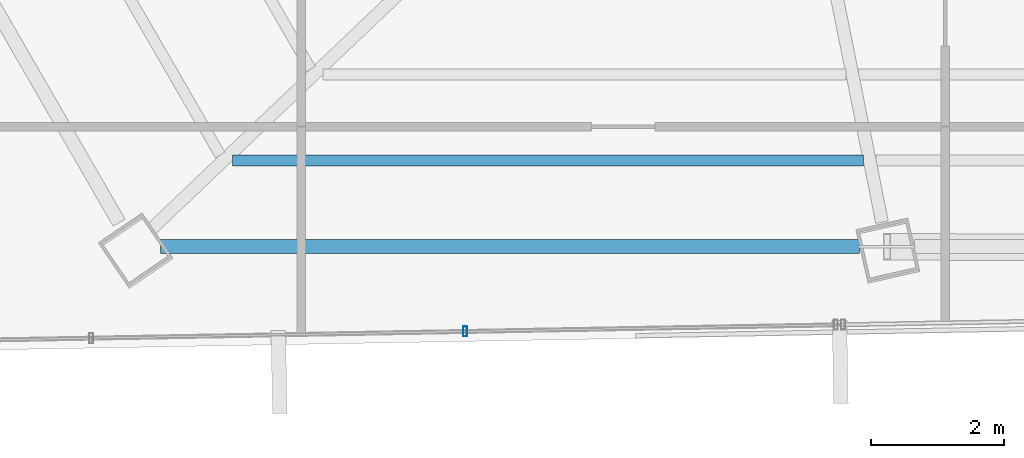
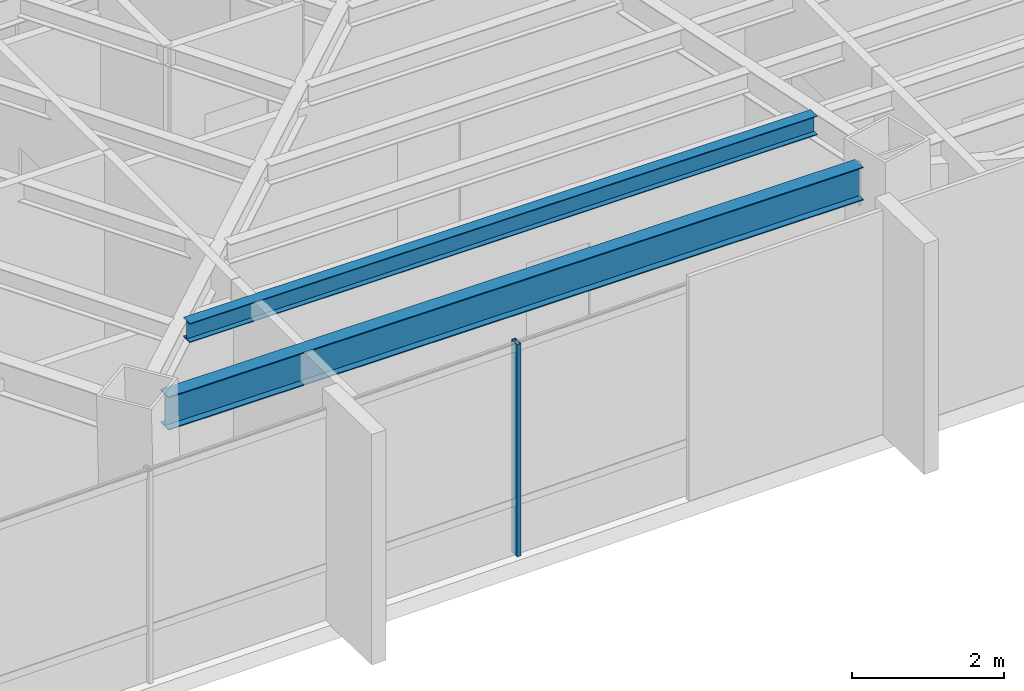
# One storey, part 5 of 42: 2 beams, 1 member, 1 element without a shape of its own.
"""IFC4 building model written with IfcOpenShell, lengths in metres."""

from ifc_helpers import new_model, si_unit, direction, frame, origin, origin_2d, place, context, subcontext, project, spatial, hollow_rectangle, i_section, extrude, source, transform, mapped, material, material_profile, profile_set, type_object, type_shapes, element, aggregate, save


model = new_model("IFC4")

# Units and contexts
model_context = context("Model", 3, precision=1e-05, world=origin(), true_north=direction((0.0, 1.0)))
body_context = subcontext(model_context, "Body", "Model", "MODEL_VIEW")
ifc_project = project(units=[si_unit("LENGTHUNIT", "METRE"), si_unit("AREAUNIT", "SQUARE_METRE"), si_unit("VOLUMEUNIT", "CUBIC_METRE"), si_unit("PLANEANGLEUNIT", "RADIAN"), si_unit("MASSUNIT", "GRAM", prefix="KILO")], contexts=[model_context])

# Site, building, storey
site_placement = place(None, origin())
site = spatial("IfcSite", under=ifc_project, at=site_placement, CompositionType="ELEMENT")
building_placement = place(site_placement, origin())
building = spatial("IfcBuilding", under=site, at=building_placement, Name="Caelisora Broadcast Tower", CompositionType="ELEMENT")
storey_placement = place(building_placement, frame((0.0, 0.0, 202.300048828125)))
storey = spatial("IfcBuildingStorey", under=building, at=storey_placement, Name="L53", CompositionType="ELEMENT", Elevation=202.300048828125)

# Beams
ifc_material_1 = material(Name="Steel Grade 350 (AS/NZS 3679.1)", Category="steel")
ifc_material_profile_1 = material_profile(ifc_material_1, i_section(OverallWidth=0.208984375, OverallDepth=0.532958984375, WebThickness=0.01025390625, FlangeThickness=0.015625, at=origin_2d()), Name="Steel Grade 350 (AS/NZS 3679.1)")
ifc_profile_set_1 = profile_set([ifc_material_profile_1], Name="Steel Grade 350 (AS/NZS 3679.1)")
beam_type_1 = type_object("IfcBeamType", Name="PG05", PredefinedType="BEAM", material=ifc_profile_set_1)
shared_shape_1 = source(origin(), body_context, "Body", "SweptSolid", [
    extrude(i_section(OverallWidth=0.208984375, OverallDepth=0.532958984375, WebThickness=0.01025390625, FlangeThickness=0.015625, at=origin_2d()), origin(), (0.0, 0.0, 1.0), 10.5244140625),
])
type_shapes(beam_type_1, [shared_shape_1])
beam_1_placement = place(storey_placement, frame((21.381591796875, 8.33251953125, 3.133544921875), z_axis=(1.0, 0.0, 0.0), x_axis=(0.0, 1.0, 0.0)))
element("IfcBeam", 1, at=beam_1_placement, inside=storey, type_object=beam_type_1, Name="L53 beam PG05", PredefinedType="BEAM", context=body_context, shape_type="MappedRepresentation", body=[
    mapped(shared_shape_1, transform((0.0, 0.0, 0.0), scale=1.0)),
])
ifc_material_profile_2 = material_profile(ifc_material_1, i_section(OverallWidth=0.166015625, OverallDepth=0.30712890625, WebThickness=0.006591796875, FlangeThickness=0.01171875, at=origin_2d()), Name="Steel Grade 350 (AS/NZS 3679.1)")
ifc_profile_set_2 = profile_set([ifc_material_profile_2], Name="Steel Grade 350 (AS/NZS 3679.1)")
beam_type_2 = type_object("IfcBeamType", Name="SB03", PredefinedType="JOIST", material=ifc_profile_set_2)
shared_shape_2 = source(origin(), body_context, "Body", "SweptSolid", [
    extrude(i_section(OverallWidth=0.166015625, OverallDepth=0.30712890625, WebThickness=0.006591796875, FlangeThickness=0.01171875, at=origin_2d()), origin(), (0.0, 0.0, 1.0), 9.50390625),
])
type_shapes(beam_type_2, [shared_shape_2])
beam_2_placement = place(storey_placement, frame((22.46337890625, 9.6279296875, 3.246337890625), z_axis=(1.0, 0.0, 0.0), x_axis=(0.0, 1.0, 0.0)))
element("IfcBeam", 2, at=beam_2_placement, inside=storey, type_object=beam_type_2, Name="L53 beam SB03", PredefinedType="JOIST", context=body_context, shape_type="MappedRepresentation", body=[
    mapped(shared_shape_2, transform((0.0, 0.0, 0.0), scale=1.0)),
])

# Curtain wall, member
ifc_material_2 = material(Name="Unitised Aluminium and Low-E Glass Curtain Wall", Category="glass")
curtain_wall_type = type_object("IfcCurtainWallType", Name="CW-Z4", PredefinedType="NOTDEFINED", material=ifc_material_2)
curtain_wall_placement = place(storey_placement, origin())
curtain_wall = element("IfcCurtainWall", 3, at=curtain_wall_placement, inside=storey, type_object=curtain_wall_type, Name="L53 curtain wall CW-Z4", PredefinedType="NOTDEFINED")
ifc_material_3 = material(Name="Aluminium 6063-T6 Anodised Terracotta Bronze", Category="aluminium")
ifc_material_profile_3 = material_profile(ifc_material_3, hollow_rectangle(XDim=0.06005859375, YDim=0.14990234375, WallThickness=0.00341796875, at=origin_2d()), Name="Aluminium 6063-T6 Anodised Terracotta Bronze")
ifc_profile_set_3 = profile_set([ifc_material_profile_3], Name="Aluminium 6063-T6 Anodised Terracotta Bronze")
member_type = type_object("IfcMemberType", Name="CWM-03", PredefinedType="MULLION", material=ifc_profile_set_3)
shared_shape_3 = source(origin(), body_context, "Body", "SweptSolid", [
    extrude(hollow_rectangle(XDim=0.06005859375, YDim=0.14990234375, WallThickness=0.00341796875, at=origin_2d()), origin(), (0.0, 0.0, 1.0), 3.39990234375),
])
type_shapes(member_type, [shared_shape_3])
member_placement = place(storey_placement, frame((25.969970703125, 7.05419921875, 0.0), z_axis=(0.0, 0.0, 1.0), x_axis=(1.0, 0.0, 0.0)))
member = element("IfcMember", 4, at=member_placement, type_object=member_type, Name="L53-CW-B07 mullion #1", PredefinedType="MULLION", context=body_context, shape_type="MappedRepresentation", body=[
    mapped(shared_shape_3, transform((0.0, 0.0, 0.0), scale=1.0)),
])
aggregate(curtain_wall, [member])

save(model, "model.ifc")
